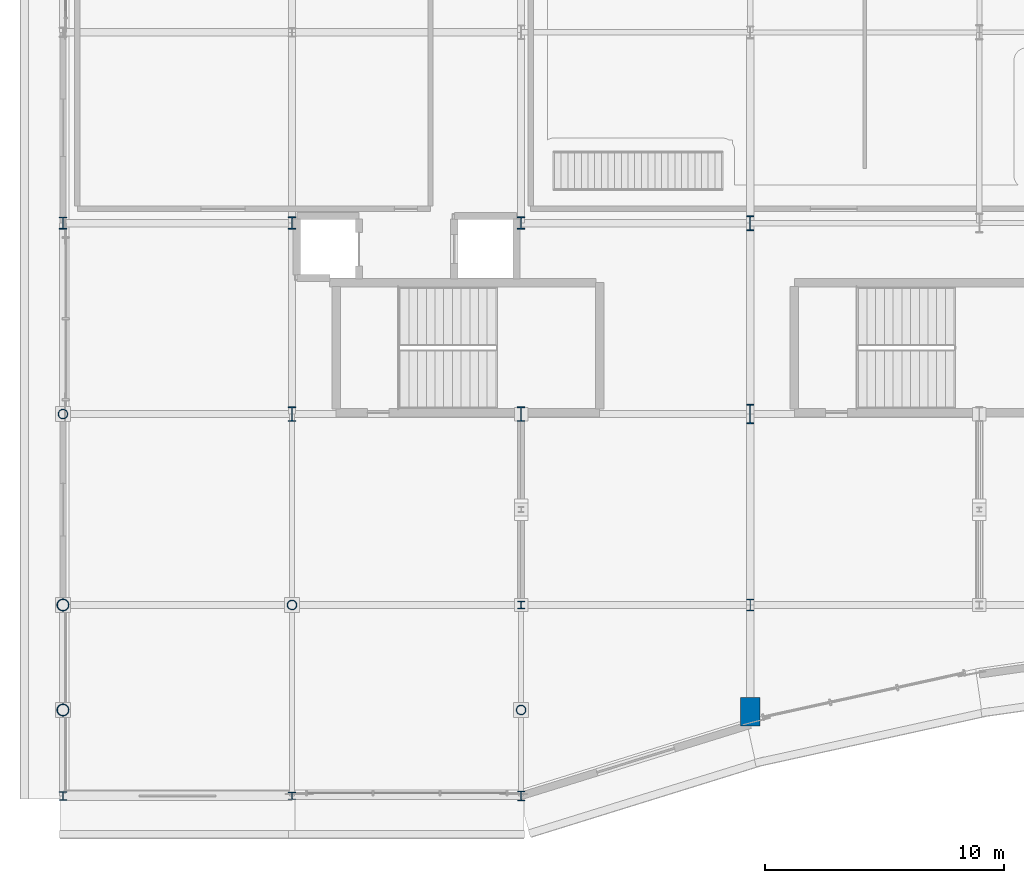
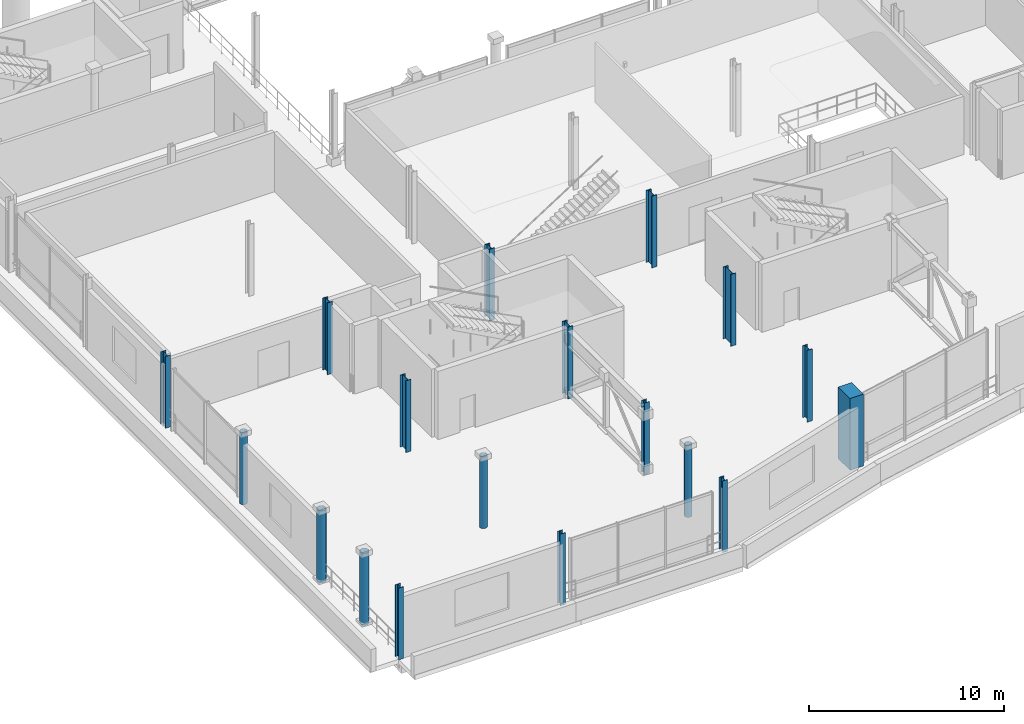
# One storey, part 1 of 193: 18 columns.
"""IFC4 building model written with IfcOpenShell, lengths in metres."""

from ifc_helpers import new_model, si_unit, direction, frame, origin, origin_with_axes, origin_2d, place, context, subcontext, project, spatial, rectangle, hollow_circle, i_section, extrude, material, material_profile, profile_set, type_object, element, save


model = new_model("IFC4")

# Units and contexts
model_context = context("Model", 3, precision=1e-05, world=origin(), true_north=direction((0.0, 1.0)))
body_context = subcontext(model_context, "Body", "Model", "MODEL_VIEW")
ifc_project = project(units=[si_unit("LENGTHUNIT", "METRE"), si_unit("AREAUNIT", "SQUARE_METRE"), si_unit("VOLUMEUNIT", "CUBIC_METRE"), si_unit("PLANEANGLEUNIT", "RADIAN"), si_unit("MASSUNIT", "GRAM", prefix="KILO")], contexts=[model_context])

# Site, building, storey
site_placement = place(None, origin())
site = spatial("IfcSite", under=ifc_project, at=site_placement, CompositionType="ELEMENT")
building_placement = place(site_placement, origin())
building = spatial("IfcBuilding", under=site, at=building_placement, Name="Danafjord Basin Convention Centre", CompositionType="ELEMENT")
storey_placement = place(building_placement, frame((0.0, 0.0, 11.39990234375)))
storey = spatial("IfcBuildingStorey", under=building, at=storey_placement, Name="L02", CompositionType="ELEMENT", Elevation=11.39990234375)

# Columns
ifc_material_1 = material(Name="Steel S355", Category="steel")
ifc_material_profile_1 = material_profile(ifc_material_1, hollow_circle(Radius=0.203125, WallThickness=0.02001953125, at=origin_2d()), Name="CHS 406.4x20.0")
ifc_profile_set_1 = profile_set([ifc_material_profile_1], Name="Steel S355")
column_type_1 = type_object("IfcColumnType", Name="COL-C-CHS406", PredefinedType="COLUMN", material=ifc_profile_set_1)
for number, where, z_axis, x_axis, name in (
    (1, (0.0, 16.0, 0.0), (0.0, 0.0, 1.0), (1.0, 0.0, 0.0), "L02 column C-CHS406 at (0.0, 16.0)"),
    (2, (9.60009765625, 8.0, 0.0), (0.0, 0.0, 1.0), (1.0, 0.0, 0.0), "L02 column C-CHS406 at (9.6, 8.0)"),
    (3, (19.199951171875, 3.60009765625, 0.0), (0.0, 0.0, 1.0), (1.0, 0.0, 0.0), "L02 column C-CHS406 at (19.2, 3.6)"),
):
    element("IfcColumn", number, at=place(storey_placement, frame(where, z_axis=z_axis, x_axis=x_axis)), inside=storey, type_object=column_type_1, Name=name, PredefinedType="COLUMN", context=body_context, shape_type="SweptSolid", body=[
        extrude(hollow_circle(Radius=0.203125, WallThickness=0.02001953125, at=origin_2d()), origin(), (0.0, 0.0, 1.0), 4.5),
    ])
ifc_material_profile_2 = material_profile(ifc_material_1, hollow_circle(Radius=0.25390625, WallThickness=0.02490234375, at=origin_2d()), Name="CHS 508.0x25.0")
ifc_profile_set_2 = profile_set([ifc_material_profile_2], Name="Steel S355")
column_type_2 = type_object("IfcColumnType", Name="COL-C-CHS508", PredefinedType="COLUMN", material=ifc_profile_set_2)
for number, where, z_axis, x_axis, name in (
    (4, (0.0, 8.0, 0.0), (0.0, 0.0, 1.0), (1.0, 0.0, 0.0), "L02 column C-CHS508 at (0.0, 8.0)"),
    (5, (0.0, 3.60009765625, 0.0), (0.0, 0.0, 1.0), (1.0, 0.0, 0.0), "L02 column C-CHS508 at (0.0, 3.6)"),
):
    element("IfcColumn", number, at=place(storey_placement, frame(where, z_axis=z_axis, x_axis=x_axis)), inside=storey, type_object=column_type_2, Name=name, PredefinedType="COLUMN", context=body_context, shape_type="SweptSolid", body=[
        extrude(hollow_circle(Radius=0.25390625, WallThickness=0.02490234375, at=origin_2d()), origin(), (0.0, 0.0, 1.0), 4.5),
    ])
ifc_material_profile_3 = material_profile(ifc_material_1, i_section(OverallWidth=0.300048828125, OverallDepth=0.300048828125, WebThickness=0.010986328125, FlangeThickness=0.01904296875, FilletRadius=0.027099609375, at=origin_2d()), Name="HEB 300")
ifc_profile_set_3 = profile_set([ifc_material_profile_3], Name="Steel S355")
column_type_3 = type_object("IfcColumnType", Name="COL-C-HEB300", PredefinedType="COLUMN", material=ifc_profile_set_3)
for number, where, z_axis, x_axis, name in (
    (6, (9.60009765625, 0.0, 0.0), (0.0, 0.0, 1.0), (1.0, 0.0, 0.0), "L02 column C-HEB300 at (9.6, 0.0)"),
    (7, (19.199951171875, 8.0, 0.0), (0.0, 0.0, 1.0), (1.0, 0.0, 0.0), "L02 column C-HEB300 at (19.2, 8.0)"),
):
    element("IfcColumn", number, at=place(storey_placement, frame(where, z_axis=z_axis, x_axis=x_axis)), inside=storey, type_object=column_type_3, Name=name, PredefinedType="COLUMN", context=body_context, shape_type="SweptSolid", body=[
        extrude(i_section(OverallWidth=0.300048828125, OverallDepth=0.300048828125, WebThickness=0.010986328125, FlangeThickness=0.01904296875, FilletRadius=0.027099609375, at=origin_2d()), origin(), (0.0, 0.0, 1.0), 4.5),
    ])
ifc_material_profile_4 = material_profile(ifc_material_1, i_section(OverallWidth=0.300048828125, OverallDepth=0.360107421875, WebThickness=0.012451171875, FlangeThickness=0.0224609375, FilletRadius=0.027099609375, at=origin_2d()), Name="HEB 360")
ifc_profile_set_4 = profile_set([ifc_material_profile_4], Name="Steel S355")
column_type_4 = type_object("IfcColumnType", Name="COL-C-HEB360", PredefinedType="COLUMN", material=ifc_profile_set_4)
column_1_placement = place(storey_placement, origin_with_axes())
element("IfcColumn", 8, at=column_1_placement, inside=storey, type_object=column_type_4, Name="L02 column C-HEB360 at (0.0, 0.0)", PredefinedType="COLUMN", context=body_context, shape_type="SweptSolid", body=[
    extrude(i_section(OverallWidth=0.300048828125, OverallDepth=0.360107421875, WebThickness=0.012451171875, FlangeThickness=0.0224609375, FilletRadius=0.027099609375, at=origin_2d()), origin(), (0.0, 0.0, 1.0), 4.5),
])
ifc_material_profile_5 = material_profile(ifc_material_1, i_section(OverallWidth=0.300048828125, OverallDepth=0.39990234375, WebThickness=0.013427734375, FlangeThickness=0.02392578125, FilletRadius=0.027099609375, at=origin_2d()), Name="HEB 400")
ifc_profile_set_5 = profile_set([ifc_material_profile_5], Name="Steel S355")
column_type_5 = type_object("IfcColumnType", Name="COL-C-HEB400", PredefinedType="COLUMN", material=ifc_profile_set_5)
column_2_placement = place(storey_placement, frame((19.199951171875, 0.0, 0.0), z_axis=(0.0, 0.0, 1.0), x_axis=(1.0, 0.0, 0.0)))
element("IfcColumn", 9, at=column_2_placement, inside=storey, type_object=column_type_5, Name="L02 column C-HEB400 at (19.2, 0.0)", PredefinedType="COLUMN", context=body_context, shape_type="SweptSolid", body=[
    extrude(i_section(OverallWidth=0.300048828125, OverallDepth=0.39990234375, WebThickness=0.013427734375, FlangeThickness=0.02392578125, FilletRadius=0.027099609375, at=origin_2d()), origin(), (0.0, 0.0, 1.0), 4.5),
])
ifc_material_profile_6 = material_profile(ifc_material_1, i_section(OverallWidth=0.300048828125, OverallDepth=0.5, WebThickness=0.014404296875, FlangeThickness=0.028076171875, FilletRadius=0.027099609375, at=origin_2d()), Name="HEB 500")
ifc_profile_set_6 = profile_set([ifc_material_profile_6], Name="Steel S355")
column_type_6 = type_object("IfcColumnType", Name="COL-C-HEB500", PredefinedType="COLUMN", material=ifc_profile_set_6)
for number, where, z_axis, x_axis, name in (
    (10, (0.0, 24.0, 0.0), (0.0, 0.0, 1.0), (1.0, 0.0, 0.0), "L02 column C-HEB500 at (0.0, 24.0)"),
    (11, (28.800048828125, 8.0, 0.0), (0.0, 0.0, 1.0), (1.0, 0.0, 0.0), "L02 column C-HEB500 at (28.8, 8.0)"),
):
    element("IfcColumn", number, at=place(storey_placement, frame(where, z_axis=z_axis, x_axis=x_axis)), inside=storey, type_object=column_type_6, Name=name, PredefinedType="COLUMN", context=body_context, shape_type="SweptSolid", body=[
        extrude(i_section(OverallWidth=0.300048828125, OverallDepth=0.5, WebThickness=0.014404296875, FlangeThickness=0.028076171875, FilletRadius=0.027099609375, at=origin_2d()), origin(), (0.0, 0.0, 1.0), 4.5),
    ])
ifc_material_profile_7 = material_profile(ifc_material_1, i_section(OverallWidth=0.305908203125, OverallDepth=0.52392578125, WebThickness=0.02099609375, FlangeThickness=0.0400390625, FilletRadius=0.027099609375, at=origin_2d()), Name="HEM 500")
ifc_profile_set_7 = profile_set([ifc_material_profile_7], Name="Steel S355")
column_type_7 = type_object("IfcColumnType", Name="COL-C-HEM500", PredefinedType="COLUMN", material=ifc_profile_set_7)
for number, where, z_axis, x_axis, name in (
    (12, (9.60009765625, 24.0, 0.0), (0.0, 0.0, 1.0), (1.0, 0.0, 0.0), "L02 column C-HEM500 at (9.6, 24.0)"),
    (13, (19.199951171875, 24.0, 0.0), (0.0, 0.0, 1.0), (1.0, 0.0, 0.0), "L02 column C-HEM500 at (19.2, 24.0)"),
):
    element("IfcColumn", number, at=place(storey_placement, frame(where, z_axis=z_axis, x_axis=x_axis)), inside=storey, type_object=column_type_7, Name=name, PredefinedType="COLUMN", context=body_context, shape_type="SweptSolid", body=[
        extrude(i_section(OverallWidth=0.305908203125, OverallDepth=0.52392578125, WebThickness=0.02099609375, FlangeThickness=0.0400390625, FilletRadius=0.027099609375, at=origin_2d()), origin(), (0.0, 0.0, 1.0), 4.5),
    ])
ifc_material_profile_8 = material_profile(ifc_material_1, i_section(OverallWidth=0.304931640625, OverallDepth=0.6201171875, WebThickness=0.02099609375, FlangeThickness=0.0400390625, FilletRadius=0.027099609375, at=origin_2d()), Name="HEM 600")
ifc_profile_set_8 = profile_set([ifc_material_profile_8], Name="Steel S355")
column_type_8 = type_object("IfcColumnType", Name="COL-C-HEM600", PredefinedType="COLUMN", material=ifc_profile_set_8)
for number, where, z_axis, x_axis, name in (
    (14, (9.60009765625, 16.0, 0.0), (0.0, 0.0, 1.0), (1.0, 0.0, 0.0), "L02 column C-HEM600 at (9.6, 16.0)"),
    (15, (19.199951171875, 16.0, 0.0), (0.0, 0.0, 1.0), (1.0, 0.0, 0.0), "L02 column C-HEM600 at (19.2, 16.0)"),
    (16, (28.800048828125, 24.0, 0.0), (0.0, 0.0, 1.0), (1.0, 0.0, 0.0), "L02 column C-HEM600 at (28.8, 24.0)"),
):
    element("IfcColumn", number, at=place(storey_placement, frame(where, z_axis=z_axis, x_axis=x_axis)), inside=storey, type_object=column_type_8, Name=name, PredefinedType="COLUMN", context=body_context, shape_type="SweptSolid", body=[
        extrude(i_section(OverallWidth=0.304931640625, OverallDepth=0.6201171875, WebThickness=0.02099609375, FlangeThickness=0.0400390625, FilletRadius=0.027099609375, at=origin_2d()), origin(), (0.0, 0.0, 1.0), 4.5),
    ])
ifc_material_profile_9 = material_profile(ifc_material_1, i_section(OverallWidth=0.302978515625, OverallDepth=0.81396484375, WebThickness=0.02099609375, FlangeThickness=0.0400390625, FilletRadius=0.030029296875, at=origin_2d()), Name="HEM 800")
ifc_profile_set_9 = profile_set([ifc_material_profile_9], Name="Steel S355")
column_type_9 = type_object("IfcColumnType", Name="COL-C-HEM800", PredefinedType="COLUMN", material=ifc_profile_set_9)
column_3_placement = place(storey_placement, frame((28.800048828125, 16.0, 0.0), z_axis=(0.0, 0.0, 1.0), x_axis=(1.0, 0.0, 0.0)))
element("IfcColumn", 17, at=column_3_placement, inside=storey, type_object=column_type_9, Name="L02 column C-HEM800 at (28.8, 16.0)", PredefinedType="COLUMN", context=body_context, shape_type="SweptSolid", body=[
    extrude(i_section(OverallWidth=0.302978515625, OverallDepth=0.81396484375, WebThickness=0.02099609375, FlangeThickness=0.0400390625, FilletRadius=0.030029296875, at=origin_2d()), origin(), (0.0, 0.0, 1.0), 4.5),
])
ifc_material_2 = material(Name="Precast concrete C45/55", Category="concrete")
ifc_material_profile_10 = material_profile(ifc_material_2, rectangle(XDim=0.800048828125, YDim=1.199951171875, at=origin_2d()), Name="RC 1200x800")
ifc_profile_set_10 = profile_set([ifc_material_profile_10], Name="Precast concrete C45/55")
column_type_10 = type_object("IfcColumnType", Name="COL-C-PIL1200", PredefinedType="PILASTER", material=ifc_profile_set_10)
column_4_placement = place(storey_placement, frame((28.800048828125, 3.530029296875, 0.0), z_axis=(0.0, 0.0, 1.0), x_axis=(1.0, 0.0, 0.0)))
element("IfcColumn", 18, at=column_4_placement, inside=storey, type_object=column_type_10, Name="L02 column C-PIL1200 at (28.8, 3.5)", PredefinedType="PILASTER", context=body_context, shape_type="SweptSolid", body=[
    extrude(rectangle(XDim=0.800048828125, YDim=1.199951171875, at=origin_2d()), origin(), (0.0, 0.0, 1.0), 4.5),
])

save(model, "model.ifc")
